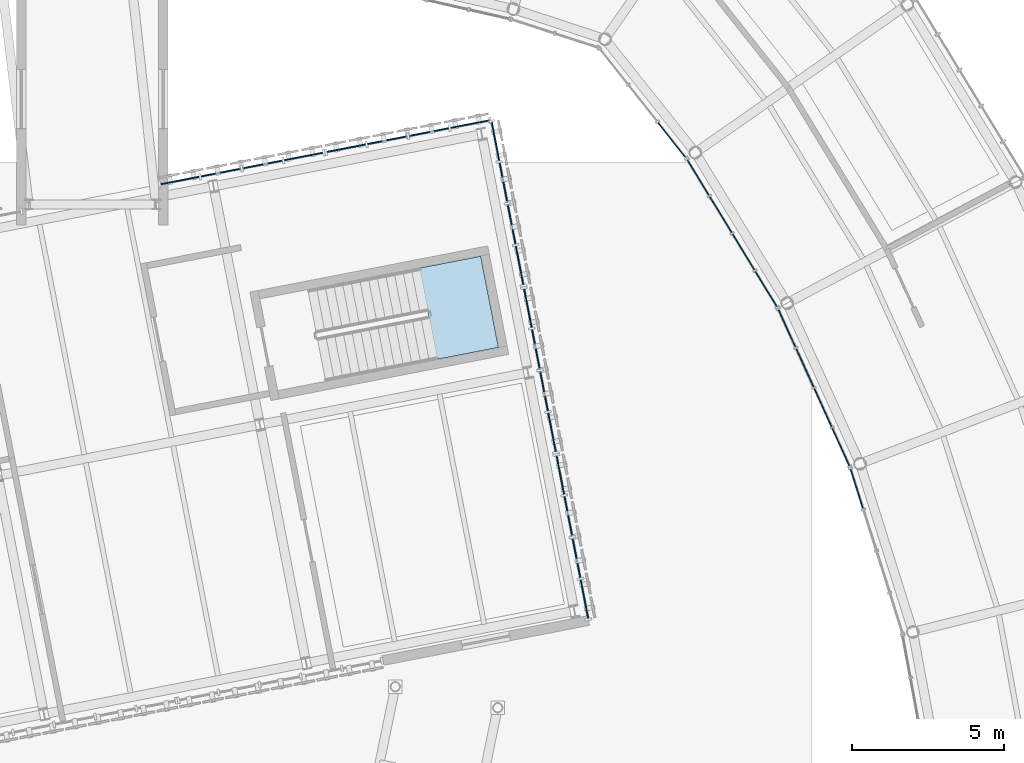
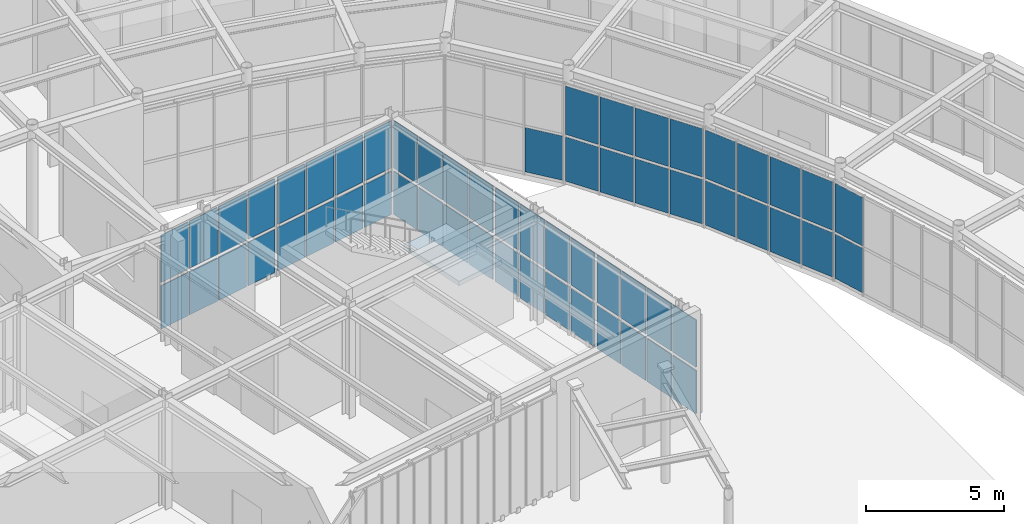
# One storey, part 64 of 97: 59 plates, 1 slab, 10 elements without a shape of their own.
"""IFC4 building model written with IfcOpenShell, lengths in metres."""

from ifc_helpers import new_model, si_unit, direction, frame, origin, origin_2d, place, context, subcontext, project, spatial, polyline, rectangle, outline, extrude, material, layer, layer_set, type_object, element, aggregate, save


model = new_model("IFC4")

# Units and contexts
model_context = context("Model", 3, precision=1e-05, world=origin(), true_north=direction((0.0, 1.0)))
body_context = subcontext(model_context, "Body", "Model", "MODEL_VIEW")
ifc_project = project(units=[si_unit("LENGTHUNIT", "METRE"), si_unit("AREAUNIT", "SQUARE_METRE"), si_unit("VOLUMEUNIT", "CUBIC_METRE"), si_unit("PLANEANGLEUNIT", "RADIAN"), si_unit("MASSUNIT", "GRAM", prefix="KILO")], contexts=[model_context])

# Site, building, storey
site_placement = place(None, origin())
site = spatial("IfcSite", under=ifc_project, at=site_placement, CompositionType="ELEMENT")
building_placement = place(site_placement, origin())
building = spatial("IfcBuilding", under=site, at=building_placement, Name="Varnklinge Art Gallery", CompositionType="ELEMENT")
storey_placement = place(building_placement, origin())
storey = spatial("IfcBuildingStorey", under=building, at=storey_placement, Name="L00", CompositionType="ELEMENT", Elevation=0.0)

# Curtain wall, plates
ifc_material_1 = material(Name="Anodised Aluminium", Category="aluminium")
curtain_wall_type_1 = type_object("IfcCurtainWallType", Name="CW-R03", PredefinedType="USERDEFINED", material=ifc_material_1)
curtain_wall_1_placement = place(storey_placement, origin())
curtain_wall_1 = element("IfcCurtainWall", 1, at=curtain_wall_1_placement, inside=storey, type_object=curtain_wall_type_1, Name="L00 Curtain Wall CW-V2I-L00-09", ObjectType="UNITISED CURTAIN WALL", PredefinedType="USERDEFINED")
ifc_material_2 = material(Name="Insulated Low-E Triple Glazing", Category="glass")
ifc_layer_1 = layer(ifc_material_2, 0.031982421875)
ifc_layer_set_1 = layer_set([ifc_layer_1], Name="Insulated Low-E Triple Glazing")
plate_type_1 = type_object("IfcPlateType", Name="GLZ-32", PredefinedType="CURTAIN_PANEL", material=ifc_layer_set_1)
plate_1_placement = place(storey_placement, frame((99.485107421875, 71.2275390625, 0.1181640625), z_axis=(0.0, 0.0, 1.0), x_axis=(0.299706904751, -0.954031326134, 0.0)))
plate_1 = element("IfcPlate", 2, at=plate_1_placement, type_object=plate_type_1, Name="CW-V2I-L00-09 Glazing Panel 1.1", PredefinedType="CURTAIN_PANEL", context=body_context, shape_type="SweptSolid", body=[
    extrude(rectangle(XDim=1.355712890625, YDim=0.031982421875, at=origin_2d()), origin(), (0.0, 0.0, 1.0), 1.950439453125),
])
plate_2_placement = place(storey_placement, frame((99.485107421875, 71.2275390625, 2.1845703125), z_axis=(0.0, 0.0, 1.0), x_axis=(0.299706904751, -0.954031326134, 0.0)))
plate_2 = element("IfcPlate", 3, at=plate_2_placement, type_object=plate_type_1, Name="CW-V2I-L00-09 Glazing Panel 1.2", PredefinedType="CURTAIN_PANEL", context=body_context, shape_type="SweptSolid", body=[
    extrude(rectangle(XDim=1.355712890625, YDim=0.031982421875, at=origin_2d()), origin(), (0.0, 0.0, 1.0), 2.127685546875),
])
aggregate(curtain_wall_1, [plate_1, plate_2])

curtain_wall_2_placement = place(storey_placement, origin())
curtain_wall_2 = element("IfcCurtainWall", 4, at=curtain_wall_2_placement, inside=storey, type_object=curtain_wall_type_1, Name="L00 Curtain Wall CW-V2I-L00-10", ObjectType="UNITISED CURTAIN WALL", PredefinedType="USERDEFINED")
plate_3_placement = place(storey_placement, frame((97.1845703125, 76.5107421875, 0.1181640625), z_axis=(0.0, 0.0, 1.0), x_axis=(0.413422293217, -0.910539404678, 0.0)))
plate_3 = element("IfcPlate", 5, at=plate_3_placement, type_object=plate_type_1, Name="CW-V2I-L00-10 Glazing Panel 1.1", PredefinedType="CURTAIN_PANEL", context=body_context, shape_type="SweptSolid", body=[
    extrude(rectangle(XDim=1.355712890625, YDim=0.031982421875, at=origin_2d()), origin(), (0.0, 0.0, 1.0), 1.950439453125),
])
plate_4_placement = place(storey_placement, frame((97.1845703125, 76.5107421875, 2.1845703125), z_axis=(0.0, 0.0, 1.0), x_axis=(0.413422293217, -0.910539404678, 0.0)))
plate_4 = element("IfcPlate", 6, at=plate_4_placement, type_object=plate_type_1, Name="CW-V2I-L00-10 Glazing Panel 1.2", PredefinedType="CURTAIN_PANEL", context=body_context, shape_type="SweptSolid", body=[
    extrude(rectangle(XDim=1.355712890625, YDim=0.031982421875, at=origin_2d()), origin(), (0.0, 0.0, 1.0), 2.127685546875),
])
plate_5_placement = place(storey_placement, frame((97.7744140625, 75.211669921875, 0.1181640625), z_axis=(0.0, 0.0, 1.0), x_axis=(0.413422293217, -0.910539404678, 0.0)))
plate_5 = element("IfcPlate", 7, at=plate_5_placement, type_object=plate_type_1, Name="CW-V2I-L00-10 Glazing Panel 2.1", PredefinedType="CURTAIN_PANEL", context=body_context, shape_type="SweptSolid", body=[
    extrude(rectangle(XDim=1.3857421875, YDim=0.031982421875, at=origin_2d()), origin(), (0.0, 0.0, 1.0), 1.950439453125),
])
plate_6_placement = place(storey_placement, frame((97.7744140625, 75.211669921875, 2.1845703125), z_axis=(0.0, 0.0, 1.0), x_axis=(0.413422293217, -0.910539404678, 0.0)))
plate_6 = element("IfcPlate", 8, at=plate_6_placement, type_object=plate_type_1, Name="CW-V2I-L00-10 Glazing Panel 2.2", PredefinedType="CURTAIN_PANEL", context=body_context, shape_type="SweptSolid", body=[
    extrude(rectangle(XDim=1.3857421875, YDim=0.031982421875, at=origin_2d()), origin(), (0.0, 0.0, 1.0), 2.127685546875),
])
plate_7_placement = place(storey_placement, frame((98.370361328125, 73.898681640625, 0.1181640625), z_axis=(0.0, 0.0, 1.0), x_axis=(0.413422293217, -0.910539404678, 0.0)))
plate_7 = element("IfcPlate", 9, at=plate_7_placement, type_object=plate_type_1, Name="CW-V2I-L00-10 Glazing Panel 3.1", PredefinedType="CURTAIN_PANEL", context=body_context, shape_type="SweptSolid", body=[
    extrude(rectangle(XDim=1.3857421875, YDim=0.031982421875, at=origin_2d()), origin(), (0.0, 0.0, 1.0), 1.950439453125),
])
plate_8_placement = place(storey_placement, frame((98.370361328125, 73.898681640625, 2.1845703125), z_axis=(0.0, 0.0, 1.0), x_axis=(0.413422293217, -0.910539404678, 0.0)))
plate_8 = element("IfcPlate", 10, at=plate_8_placement, type_object=plate_type_1, Name="CW-V2I-L00-10 Glazing Panel 3.2", PredefinedType="CURTAIN_PANEL", context=body_context, shape_type="SweptSolid", body=[
    extrude(rectangle(XDim=1.3857421875, YDim=0.031982421875, at=origin_2d()), origin(), (0.0, 0.0, 1.0), 2.127685546875),
])
plate_9_placement = place(storey_placement, frame((98.960205078125, 72.599609375, 0.1181640625), z_axis=(0.0, 0.0, 1.0), x_axis=(0.413422293217, -0.910539404678, 0.0)))
plate_9 = element("IfcPlate", 11, at=plate_9_placement, type_object=plate_type_1, Name="CW-V2I-L00-10 Glazing Panel 4.1", PredefinedType="CURTAIN_PANEL", context=body_context, shape_type="SweptSolid", body=[
    extrude(rectangle(XDim=1.355712890625, YDim=0.031982421875, at=origin_2d()), origin(), (0.0, 0.0, 1.0), 1.950439453125),
])
plate_10_placement = place(storey_placement, frame((98.960205078125, 72.599609375, 2.1845703125), z_axis=(0.0, 0.0, 1.0), x_axis=(0.413422293217, -0.910539404678, 0.0)))
plate_10 = element("IfcPlate", 12, at=plate_10_placement, type_object=plate_type_1, Name="CW-V2I-L00-10 Glazing Panel 4.2", PredefinedType="CURTAIN_PANEL", context=body_context, shape_type="SweptSolid", body=[
    extrude(rectangle(XDim=1.355712890625, YDim=0.031982421875, at=origin_2d()), origin(), (0.0, 0.0, 1.0), 2.127685546875),
])
aggregate(curtain_wall_2, [plate_3, plate_4, plate_5, plate_6, plate_7, plate_8, plate_9, plate_10])

curtain_wall_3_placement = place(storey_placement, origin())
curtain_wall_3 = element("IfcCurtainWall", 13, at=curtain_wall_3_placement, inside=storey, type_object=curtain_wall_type_1, Name="L00 Curtain Wall CW-V2I-L00-11", ObjectType="UNITISED CURTAIN WALL", PredefinedType="USERDEFINED")
plate_11_placement = place(storey_placement, frame((94.259521484375, 81.475341796875, 0.1181640625), z_axis=(0.0, 0.0, 1.0), x_axis=(0.520860651188, -0.85364171761, 0.0)))
plate_11 = element("IfcPlate", 14, at=plate_11_placement, type_object=plate_type_1, Name="CW-V2I-L00-11 Glazing Panel 1.1", PredefinedType="CURTAIN_PANEL", context=body_context, shape_type="SweptSolid", body=[
    extrude(rectangle(XDim=1.355712890625, YDim=0.031982421875, at=origin_2d()), origin(), (0.0, 0.0, 1.0), 1.950439453125),
])
plate_12_placement = place(storey_placement, frame((94.259521484375, 81.475341796875, 2.1845703125), z_axis=(0.0, 0.0, 1.0), x_axis=(0.520860651188, -0.85364171761, 0.0)))
plate_12 = element("IfcPlate", 15, at=plate_12_placement, type_object=plate_type_1, Name="CW-V2I-L00-11 Glazing Panel 1.2", PredefinedType="CURTAIN_PANEL", context=body_context, shape_type="SweptSolid", body=[
    extrude(rectangle(XDim=1.355712890625, YDim=0.031982421875, at=origin_2d()), origin(), (0.0, 0.0, 1.0), 2.127685546875),
])
plate_13_placement = place(storey_placement, frame((95.002685546875, 80.257568359375, 0.1181640625), z_axis=(0.0, 0.0, 1.0), x_axis=(0.520860651188, -0.85364171761, 0.0)))
plate_13 = element("IfcPlate", 16, at=plate_13_placement, type_object=plate_type_1, Name="CW-V2I-L00-11 Glazing Panel 2.1", PredefinedType="CURTAIN_PANEL", context=body_context, shape_type="SweptSolid", body=[
    extrude(rectangle(XDim=1.3857421875, YDim=0.031982421875, at=origin_2d()), origin(), (0.0, 0.0, 1.0), 1.950439453125),
])
plate_14_placement = place(storey_placement, frame((95.002685546875, 80.257568359375, 2.1845703125), z_axis=(0.0, 0.0, 1.0), x_axis=(0.520860651188, -0.85364171761, 0.0)))
plate_14 = element("IfcPlate", 17, at=plate_14_placement, type_object=plate_type_1, Name="CW-V2I-L00-11 Glazing Panel 2.2", PredefinedType="CURTAIN_PANEL", context=body_context, shape_type="SweptSolid", body=[
    extrude(rectangle(XDim=1.3857421875, YDim=0.031982421875, at=origin_2d()), origin(), (0.0, 0.0, 1.0), 2.127685546875),
])
plate_15_placement = place(storey_placement, frame((95.753662109375, 79.02685546875, 0.1181640625), z_axis=(0.0, 0.0, 1.0), x_axis=(0.520860651188, -0.85364171761, 0.0)))
plate_15 = element("IfcPlate", 18, at=plate_15_placement, type_object=plate_type_1, Name="CW-V2I-L00-11 Glazing Panel 3.1", PredefinedType="CURTAIN_PANEL", context=body_context, shape_type="SweptSolid", body=[
    extrude(rectangle(XDim=1.3857421875, YDim=0.031982421875, at=origin_2d()), origin(), (0.0, 0.0, 1.0), 1.950439453125),
])
plate_16_placement = place(storey_placement, frame((95.753662109375, 79.02685546875, 2.1845703125), z_axis=(0.0, 0.0, 1.0), x_axis=(0.520860651188, -0.85364171761, 0.0)))
plate_16 = element("IfcPlate", 19, at=plate_16_placement, type_object=plate_type_1, Name="CW-V2I-L00-11 Glazing Panel 3.2", PredefinedType="CURTAIN_PANEL", context=body_context, shape_type="SweptSolid", body=[
    extrude(rectangle(XDim=1.3857421875, YDim=0.031982421875, at=origin_2d()), origin(), (0.0, 0.0, 1.0), 2.127685546875),
])
plate_17_placement = place(storey_placement, frame((96.496826171875, 77.80908203125, 0.1181640625), z_axis=(0.0, 0.0, 1.0), x_axis=(0.520860651188, -0.85364171761, 0.0)))
plate_17 = element("IfcPlate", 20, at=plate_17_placement, type_object=plate_type_1, Name="CW-V2I-L00-11 Glazing Panel 4.1", PredefinedType="CURTAIN_PANEL", context=body_context, shape_type="SweptSolid", body=[
    extrude(rectangle(XDim=1.355712890625, YDim=0.031982421875, at=origin_2d()), origin(), (0.0, 0.0, 1.0), 1.950439453125),
])
plate_18_placement = place(storey_placement, frame((96.496826171875, 77.80908203125, 2.1845703125), z_axis=(0.0, 0.0, 1.0), x_axis=(0.520860651188, -0.85364171761, 0.0)))
plate_18 = element("IfcPlate", 21, at=plate_18_placement, type_object=plate_type_1, Name="CW-V2I-L00-11 Glazing Panel 4.2", PredefinedType="CURTAIN_PANEL", context=body_context, shape_type="SweptSolid", body=[
    extrude(rectangle(XDim=1.355712890625, YDim=0.031982421875, at=origin_2d()), origin(), (0.0, 0.0, 1.0), 2.127685546875),
])
aggregate(curtain_wall_3, [plate_11, plate_12, plate_13, plate_14, plate_15, plate_16, plate_17, plate_18])

# Curtain wall, plate
curtain_wall_4_placement = place(storey_placement, origin())
curtain_wall_4 = element("IfcCurtainWall", 22, at=curtain_wall_4_placement, inside=storey, type_object=curtain_wall_type_1, Name="L00 Curtain Wall CW-V2I-L00-12", ObjectType="UNITISED CURTAIN WALL", PredefinedType="USERDEFINED")
plate_19_placement = place(storey_placement, frame((93.385009765625, 82.7236328125, 0.1181640625), z_axis=(0.0, 0.0, 1.0), x_axis=(0.620737354217, -0.784018582101, 0.0)))
plate_19 = element("IfcPlate", 23, at=plate_19_placement, type_object=plate_type_1, Name="CW-V2I-L00-12 Glazing Panel 3.1", PredefinedType="CURTAIN_PANEL", context=body_context, shape_type="SweptSolid", body=[
    extrude(rectangle(XDim=1.4658203125, YDim=0.031982421875, at=origin_2d()), origin(), (0.0, 0.0, 1.0), 1.950439453125),
])
aggregate(curtain_wall_4, [plate_19])

# Curtain wall, plates
ifc_material_3 = material(Name="Anodised Aluminium", Category="aluminium")
curtain_wall_type_2 = type_object("IfcCurtainWallType", Name="CW-L05", PredefinedType="USERDEFINED", material=ifc_material_3)
curtain_wall_5_placement = place(storey_placement, origin())
curtain_wall_5 = element("IfcCurtainWall", 24, at=curtain_wall_5_placement, inside=storey, type_object=curtain_wall_type_2, Name="L00 Curtain Wall CW-V4B-L00-2-1-1", ObjectType="UNITISED CURTAIN WALL", PredefinedType="USERDEFINED")
ifc_material_4 = material(Name="Insulated Low-E Triple Glazing", Category="glass")
ifc_layer_2 = layer(ifc_material_4, 0.0439453125)
ifc_layer_set_2 = layer_set([ifc_layer_2], Name="Insulated Low-E Triple Glazing")
plate_type_2 = type_object("IfcPlateType", Name="GLZ-44", PredefinedType="CURTAIN_PANEL", material=ifc_layer_set_2)
plate_20_placement = place(storey_placement, frame((90.51220703125, 67.593017578125, 0.14794921875), z_axis=(0.0, 0.0, 1.0), x_axis=(-0.190808995377, 0.981627183448, 0.0)))
plate_20 = element("IfcPlate", 25, at=plate_20_placement, type_object=plate_type_2, Name="CW-V4B-L00-2-1-1 Glazing Panel 1.1", PredefinedType="CURTAIN_PANEL", context=body_context, shape_type="SweptSolid", body=[
    extrude(rectangle(XDim=1.29150390625, YDim=0.0439453125, at=origin_2d()), origin(), (0.0, 0.0, 1.0), 1.905517578125),
])
plate_21_placement = place(storey_placement, frame((90.51220703125, 67.593017578125, 2.199462890625), z_axis=(0.0, 0.0, 1.0), x_axis=(-0.190808995377, 0.981627183448, 0.0)))
plate_21 = element("IfcPlate", 26, at=plate_21_placement, type_object=plate_type_2, Name="CW-V4B-L00-2-1-1 Glazing Panel 1.2", PredefinedType="CURTAIN_PANEL", context=body_context, shape_type="SweptSolid", body=[
    extrude(rectangle(XDim=1.29150390625, YDim=0.0439453125, at=origin_2d()), origin(), (0.0, 0.0, 1.0), 2.08251953125),
])
plate_22_placement = place(storey_placement, frame((90.24853515625, 68.948974609375, 0.14794921875), z_axis=(0.0, 0.0, 1.0), x_axis=(-0.190808995377, 0.981627183448, 0.0)))
plate_22 = element("IfcPlate", 27, at=plate_22_placement, type_object=plate_type_2, Name="CW-V4B-L00-2-1-1 Glazing Panel 2.1", PredefinedType="CURTAIN_PANEL", context=body_context, shape_type="SweptSolid", body=[
    extrude(rectangle(XDim=1.3291015625, YDim=0.0439453125, at=origin_2d()), origin(), (0.0, 0.0, 1.0), 1.905517578125),
])
plate_23_placement = place(storey_placement, frame((90.24853515625, 68.948974609375, 2.199462890625), z_axis=(0.0, 0.0, 1.0), x_axis=(-0.190808995377, 0.981627183448, 0.0)))
plate_23 = element("IfcPlate", 28, at=plate_23_placement, type_object=plate_type_2, Name="CW-V4B-L00-2-1-1 Glazing Panel 2.2", PredefinedType="CURTAIN_PANEL", context=body_context, shape_type="SweptSolid", body=[
    extrude(rectangle(XDim=1.3291015625, YDim=0.0439453125, at=origin_2d()), origin(), (0.0, 0.0, 1.0), 2.08251953125),
])
plate_24_placement = place(storey_placement, frame((89.9814453125, 70.3232421875, 0.14794921875), z_axis=(0.0, 0.0, 1.0), x_axis=(-0.190808995377, 0.981627183448, 0.0)))
plate_24 = element("IfcPlate", 29, at=plate_24_placement, type_object=plate_type_2, Name="CW-V4B-L00-2-1-1 Glazing Panel 3.1", PredefinedType="CURTAIN_PANEL", context=body_context, shape_type="SweptSolid", body=[
    extrude(rectangle(XDim=1.3291015625, YDim=0.0439453125, at=origin_2d()), origin(), (0.0, 0.0, 1.0), 1.905517578125),
])
plate_25_placement = place(storey_placement, frame((89.9814453125, 70.3232421875, 2.199462890625), z_axis=(0.0, 0.0, 1.0), x_axis=(-0.190808995377, 0.981627183448, 0.0)))
plate_25 = element("IfcPlate", 30, at=plate_25_placement, type_object=plate_type_2, Name="CW-V4B-L00-2-1-1 Glazing Panel 3.2", PredefinedType="CURTAIN_PANEL", context=body_context, shape_type="SweptSolid", body=[
    extrude(rectangle(XDim=1.3291015625, YDim=0.0439453125, at=origin_2d()), origin(), (0.0, 0.0, 1.0), 2.08251953125),
])
plate_26_placement = place(storey_placement, frame((89.718017578125, 71.67919921875, 0.14794921875), z_axis=(0.0, 0.0, 1.0), x_axis=(-0.190808995377, 0.981627183448, 0.0)))
plate_26 = element("IfcPlate", 31, at=plate_26_placement, type_object=plate_type_2, Name="CW-V4B-L00-2-1-1 Glazing Panel 4.1", PredefinedType="CURTAIN_PANEL", context=body_context, shape_type="SweptSolid", body=[
    extrude(rectangle(XDim=1.29150390625, YDim=0.0439453125, at=origin_2d()), origin(), (0.0, 0.0, 1.0), 1.905517578125),
])
plate_27_placement = place(storey_placement, frame((89.718017578125, 71.67919921875, 2.199462890625), z_axis=(0.0, 0.0, 1.0), x_axis=(-0.190808995377, 0.981627183448, 0.0)))
plate_27 = element("IfcPlate", 32, at=plate_27_placement, type_object=plate_type_2, Name="CW-V4B-L00-2-1-1 Glazing Panel 4.2", PredefinedType="CURTAIN_PANEL", context=body_context, shape_type="SweptSolid", body=[
    extrude(rectangle(XDim=1.29150390625, YDim=0.0439453125, at=origin_2d()), origin(), (0.0, 0.0, 1.0), 2.08251953125),
])
aggregate(curtain_wall_5, [plate_20, plate_21, plate_22, plate_23, plate_24, plate_25, plate_26, plate_27])

curtain_wall_6_placement = place(storey_placement, origin())
curtain_wall_6 = element("IfcCurtainWall", 33, at=curtain_wall_6_placement, inside=storey, type_object=curtain_wall_type_2, Name="L00 Curtain Wall CW-V4B-L00-2-1-2", ObjectType="UNITISED CURTAIN WALL", PredefinedType="USERDEFINED")
plate_28_placement = place(storey_placement, frame((89.443603515625, 73.090087890625, 0.14794921875), z_axis=(0.0, 0.0, 1.0), x_axis=(-0.190808995377, 0.981627183448, 0.0)))
plate_28 = element("IfcPlate", 34, at=plate_28_placement, type_object=plate_type_2, Name="CW-V4B-L00-2-1-2 Glazing Panel 1.1", PredefinedType="CURTAIN_PANEL", context=body_context, shape_type="SweptSolid", body=[
    extrude(rectangle(XDim=1.29150390625, YDim=0.0439453125, at=origin_2d()), origin(), (0.0, 0.0, 1.0), 1.905517578125),
])
plate_29_placement = place(storey_placement, frame((89.443603515625, 73.090087890625, 2.199462890625), z_axis=(0.0, 0.0, 1.0), x_axis=(-0.190808995377, 0.981627183448, 0.0)))
plate_29 = element("IfcPlate", 35, at=plate_29_placement, type_object=plate_type_2, Name="CW-V4B-L00-2-1-2 Glazing Panel 1.2", PredefinedType="CURTAIN_PANEL", context=body_context, shape_type="SweptSolid", body=[
    extrude(rectangle(XDim=1.29150390625, YDim=0.0439453125, at=origin_2d()), origin(), (0.0, 0.0, 1.0), 2.08251953125),
])
plate_30_placement = place(storey_placement, frame((89.18017578125, 74.446044921875, 0.14794921875), z_axis=(0.0, 0.0, 1.0), x_axis=(-0.190808995377, 0.981627183448, 0.0)))
plate_30 = element("IfcPlate", 36, at=plate_30_placement, type_object=plate_type_2, Name="CW-V4B-L00-2-1-2 Glazing Panel 2.1", PredefinedType="CURTAIN_PANEL", context=body_context, shape_type="SweptSolid", body=[
    extrude(rectangle(XDim=1.3291015625, YDim=0.0439453125, at=origin_2d()), origin(), (0.0, 0.0, 1.0), 1.905517578125),
])
plate_31_placement = place(storey_placement, frame((89.18017578125, 74.446044921875, 2.199462890625), z_axis=(0.0, 0.0, 1.0), x_axis=(-0.190808995377, 0.981627183448, 0.0)))
plate_31 = element("IfcPlate", 37, at=plate_31_placement, type_object=plate_type_2, Name="CW-V4B-L00-2-1-2 Glazing Panel 2.2", PredefinedType="CURTAIN_PANEL", context=body_context, shape_type="SweptSolid", body=[
    extrude(rectangle(XDim=1.3291015625, YDim=0.0439453125, at=origin_2d()), origin(), (0.0, 0.0, 1.0), 2.08251953125),
])
plate_32_placement = place(storey_placement, frame((88.912841796875, 75.8203125, 0.14794921875), z_axis=(0.0, 0.0, 1.0), x_axis=(-0.190808995377, 0.981627183448, 0.0)))
plate_32 = element("IfcPlate", 38, at=plate_32_placement, type_object=plate_type_2, Name="CW-V4B-L00-2-1-2 Glazing Panel 3.1", PredefinedType="CURTAIN_PANEL", context=body_context, shape_type="SweptSolid", body=[
    extrude(rectangle(XDim=1.3291015625, YDim=0.0439453125, at=origin_2d()), origin(), (0.0, 0.0, 1.0), 1.905517578125),
])
plate_33_placement = place(storey_placement, frame((88.912841796875, 75.8203125, 2.199462890625), z_axis=(0.0, 0.0, 1.0), x_axis=(-0.190808995377, 0.981627183448, 0.0)))
plate_33 = element("IfcPlate", 39, at=plate_33_placement, type_object=plate_type_2, Name="CW-V4B-L00-2-1-2 Glazing Panel 3.2", PredefinedType="CURTAIN_PANEL", context=body_context, shape_type="SweptSolid", body=[
    extrude(rectangle(XDim=1.3291015625, YDim=0.0439453125, at=origin_2d()), origin(), (0.0, 0.0, 1.0), 2.08251953125),
])
plate_34_placement = place(storey_placement, frame((88.6494140625, 77.17626953125, 0.14794921875), z_axis=(0.0, 0.0, 1.0), x_axis=(-0.190808995377, 0.981627183448, 0.0)))
plate_34 = element("IfcPlate", 40, at=plate_34_placement, type_object=plate_type_2, Name="CW-V4B-L00-2-1-2 Glazing Panel 4.1", PredefinedType="CURTAIN_PANEL", context=body_context, shape_type="SweptSolid", body=[
    extrude(rectangle(XDim=1.29150390625, YDim=0.0439453125, at=origin_2d()), origin(), (0.0, 0.0, 1.0), 1.905517578125),
])
plate_35_placement = place(storey_placement, frame((88.6494140625, 77.17626953125, 2.199462890625), z_axis=(0.0, 0.0, 1.0), x_axis=(-0.190808995377, 0.981627183448, 0.0)))
plate_35 = element("IfcPlate", 41, at=plate_35_placement, type_object=plate_type_2, Name="CW-V4B-L00-2-1-2 Glazing Panel 4.2", PredefinedType="CURTAIN_PANEL", context=body_context, shape_type="SweptSolid", body=[
    extrude(rectangle(XDim=1.29150390625, YDim=0.0439453125, at=origin_2d()), origin(), (0.0, 0.0, 1.0), 2.08251953125),
])
aggregate(curtain_wall_6, [plate_28, plate_29, plate_30, plate_31, plate_32, plate_33, plate_34, plate_35])

curtain_wall_7_placement = place(storey_placement, origin())
curtain_wall_7 = element("IfcCurtainWall", 42, at=curtain_wall_7_placement, inside=storey, type_object=curtain_wall_type_2, Name="L00 Curtain Wall CW-V4B-L00-2-1-3", ObjectType="UNITISED CURTAIN WALL", PredefinedType="USERDEFINED")
plate_36_placement = place(storey_placement, frame((88.375, 78.587158203125, 0.14794921875), z_axis=(0.0, 0.0, 1.0), x_axis=(-0.190808995377, 0.981627183448, 0.0)))
plate_36 = element("IfcPlate", 43, at=plate_36_placement, type_object=plate_type_2, Name="CW-V4B-L00-2-1-3 Glazing Panel 1.1", PredefinedType="CURTAIN_PANEL", context=body_context, shape_type="SweptSolid", body=[
    extrude(rectangle(XDim=1.29150390625, YDim=0.0439453125, at=origin_2d()), origin(), (0.0, 0.0, 1.0), 1.905517578125),
])
plate_37_placement = place(storey_placement, frame((88.375, 78.587158203125, 2.199462890625), z_axis=(0.0, 0.0, 1.0), x_axis=(-0.190808995377, 0.981627183448, 0.0)))
plate_37 = element("IfcPlate", 44, at=plate_37_placement, type_object=plate_type_2, Name="CW-V4B-L00-2-1-3 Glazing Panel 1.2", PredefinedType="CURTAIN_PANEL", context=body_context, shape_type="SweptSolid", body=[
    extrude(rectangle(XDim=1.29150390625, YDim=0.0439453125, at=origin_2d()), origin(), (0.0, 0.0, 1.0), 2.08251953125),
])
plate_38_placement = place(storey_placement, frame((88.111572265625, 79.943115234375, 0.14794921875), z_axis=(0.0, 0.0, 1.0), x_axis=(-0.190808995377, 0.981627183448, 0.0)))
plate_38 = element("IfcPlate", 45, at=plate_38_placement, type_object=plate_type_2, Name="CW-V4B-L00-2-1-3 Glazing Panel 2.1", PredefinedType="CURTAIN_PANEL", context=body_context, shape_type="SweptSolid", body=[
    extrude(rectangle(XDim=1.3291015625, YDim=0.0439453125, at=origin_2d()), origin(), (0.0, 0.0, 1.0), 1.905517578125),
])
plate_39_placement = place(storey_placement, frame((88.111572265625, 79.943115234375, 2.199462890625), z_axis=(0.0, 0.0, 1.0), x_axis=(-0.190808995377, 0.981627183448, 0.0)))
plate_39 = element("IfcPlate", 46, at=plate_39_placement, type_object=plate_type_2, Name="CW-V4B-L00-2-1-3 Glazing Panel 2.2", PredefinedType="CURTAIN_PANEL", context=body_context, shape_type="SweptSolid", body=[
    extrude(rectangle(XDim=1.3291015625, YDim=0.0439453125, at=origin_2d()), origin(), (0.0, 0.0, 1.0), 2.08251953125),
])
plate_40_placement = place(storey_placement, frame((87.844482421875, 81.3173828125, 0.14794921875), z_axis=(0.0, 0.0, 1.0), x_axis=(-0.190808995377, 0.981627183448, 0.0)))
plate_40 = element("IfcPlate", 47, at=plate_40_placement, type_object=plate_type_2, Name="CW-V4B-L00-2-1-3 Glazing Panel 3.1", PredefinedType="CURTAIN_PANEL", context=body_context, shape_type="SweptSolid", body=[
    extrude(rectangle(XDim=1.3291015625, YDim=0.0439453125, at=origin_2d()), origin(), (0.0, 0.0, 1.0), 1.905517578125),
])
plate_41_placement = place(storey_placement, frame((87.844482421875, 81.3173828125, 2.199462890625), z_axis=(0.0, 0.0, 1.0), x_axis=(-0.190808995377, 0.981627183448, 0.0)))
plate_41 = element("IfcPlate", 48, at=plate_41_placement, type_object=plate_type_2, Name="CW-V4B-L00-2-1-3 Glazing Panel 3.2", PredefinedType="CURTAIN_PANEL", context=body_context, shape_type="SweptSolid", body=[
    extrude(rectangle(XDim=1.3291015625, YDim=0.0439453125, at=origin_2d()), origin(), (0.0, 0.0, 1.0), 2.08251953125),
])
plate_42_placement = place(storey_placement, frame((87.580810546875, 82.67333984375, 0.14794921875), z_axis=(0.0, 0.0, 1.0), x_axis=(-0.190808995377, 0.981627183448, 0.0)))
plate_42 = element("IfcPlate", 49, at=plate_42_placement, type_object=plate_type_2, Name="CW-V4B-L00-2-1-3 Glazing Panel 4.1", PredefinedType="CURTAIN_PANEL", context=body_context, shape_type="SweptSolid", body=[
    extrude(rectangle(XDim=1.29150390625, YDim=0.0439453125, at=origin_2d()), origin(), (0.0, 0.0, 1.0), 1.905517578125),
])
plate_43_placement = place(storey_placement, frame((87.580810546875, 82.67333984375, 2.199462890625), z_axis=(0.0, 0.0, 1.0), x_axis=(-0.190808995377, 0.981627183448, 0.0)))
plate_43 = element("IfcPlate", 50, at=plate_43_placement, type_object=plate_type_2, Name="CW-V4B-L00-2-1-3 Glazing Panel 4.2", PredefinedType="CURTAIN_PANEL", context=body_context, shape_type="SweptSolid", body=[
    extrude(rectangle(XDim=1.29150390625, YDim=0.0439453125, at=origin_2d()), origin(), (0.0, 0.0, 1.0), 2.08251953125),
])
aggregate(curtain_wall_7, [plate_36, plate_37, plate_38, plate_39, plate_40, plate_41, plate_42, plate_43])

curtain_wall_8_placement = place(storey_placement, origin())
curtain_wall_8 = element("IfcCurtainWall", 51, at=curtain_wall_8_placement, inside=storey, type_object=curtain_wall_type_2, Name="L00 Curtain Wall CW-V4B-L00-3-1-1", ObjectType="UNITISED CURTAIN WALL", PredefinedType="USERDEFINED")
plate_44_placement = place(storey_placement, frame((86.739990234375, 83.241943359375, 0.14794921875), z_axis=(0.0, 0.0, 1.0), x_axis=(-0.981627183448, -0.190808995377, 0.0)))
plate_44 = element("IfcPlate", 52, at=plate_44_placement, type_object=plate_type_2, Name="CW-V4B-L00-3-1-1 Glazing Panel 1.1", PredefinedType="CURTAIN_PANEL", context=body_context, shape_type="SweptSolid", body=[
    extrude(rectangle(XDim=1.28759765625, YDim=0.0439453125, at=origin_2d()), origin(), (0.0, 0.0, 1.0), 1.905517578125),
])
plate_45_placement = place(storey_placement, frame((86.739990234375, 83.241943359375, 2.199462890625), z_axis=(0.0, 0.0, 1.0), x_axis=(-0.981627183448, -0.190808995377, 0.0)))
plate_45 = element("IfcPlate", 53, at=plate_45_placement, type_object=plate_type_2, Name="CW-V4B-L00-3-1-1 Glazing Panel 1.2", PredefinedType="CURTAIN_PANEL", context=body_context, shape_type="SweptSolid", body=[
    extrude(rectangle(XDim=1.28759765625, YDim=0.0439453125, at=origin_2d()), origin(), (0.0, 0.0, 1.0), 2.08251953125),
])
plate_46_placement = place(storey_placement, frame((85.387939453125, 82.979248046875, 0.14794921875), z_axis=(0.0, 0.0, 1.0), x_axis=(-0.981627183448, -0.190808995377, 0.0)))
plate_46 = element("IfcPlate", 54, at=plate_46_placement, type_object=plate_type_2, Name="CW-V4B-L00-3-1-1 Glazing Panel 2.1", PredefinedType="CURTAIN_PANEL", context=body_context, shape_type="SweptSolid", body=[
    extrude(rectangle(XDim=1.3251953125, YDim=0.0439453125, at=origin_2d()), origin(), (0.0, 0.0, 1.0), 1.905517578125),
])
plate_47_placement = place(storey_placement, frame((85.387939453125, 82.979248046875, 2.199462890625), z_axis=(0.0, 0.0, 1.0), x_axis=(-0.981627183448, -0.190808995377, 0.0)))
plate_47 = element("IfcPlate", 55, at=plate_47_placement, type_object=plate_type_2, Name="CW-V4B-L00-3-1-1 Glazing Panel 2.2", PredefinedType="CURTAIN_PANEL", context=body_context, shape_type="SweptSolid", body=[
    extrude(rectangle(XDim=1.3251953125, YDim=0.0439453125, at=origin_2d()), origin(), (0.0, 0.0, 1.0), 2.08251953125),
])
plate_48_placement = place(storey_placement, frame((84.017578125, 82.712890625, 0.14794921875), z_axis=(0.0, 0.0, 1.0), x_axis=(-0.981627183448, -0.190808995377, 0.0)))
plate_48 = element("IfcPlate", 56, at=plate_48_placement, type_object=plate_type_2, Name="CW-V4B-L00-3-1-1 Glazing Panel 3.1", PredefinedType="CURTAIN_PANEL", context=body_context, shape_type="SweptSolid", body=[
    extrude(rectangle(XDim=1.3251953125, YDim=0.0439453125, at=origin_2d()), origin(), (0.0, 0.0, 1.0), 1.905517578125),
])
plate_49_placement = place(storey_placement, frame((84.017578125, 82.712890625, 2.199462890625), z_axis=(0.0, 0.0, 1.0), x_axis=(-0.981627183448, -0.190808995377, 0.0)))
plate_49 = element("IfcPlate", 57, at=plate_49_placement, type_object=plate_type_2, Name="CW-V4B-L00-3-1-1 Glazing Panel 3.2", PredefinedType="CURTAIN_PANEL", context=body_context, shape_type="SweptSolid", body=[
    extrude(rectangle(XDim=1.3251953125, YDim=0.0439453125, at=origin_2d()), origin(), (0.0, 0.0, 1.0), 2.08251953125),
])
plate_50_placement = place(storey_placement, frame((82.665283203125, 82.449951171875, 0.14794921875), z_axis=(0.0, 0.0, 1.0), x_axis=(-0.981627183448, -0.190808995377, 0.0)))
plate_50 = element("IfcPlate", 58, at=plate_50_placement, type_object=plate_type_2, Name="CW-V4B-L00-3-1-1 Glazing Panel 4.1", PredefinedType="CURTAIN_PANEL", context=body_context, shape_type="SweptSolid", body=[
    extrude(rectangle(XDim=1.28759765625, YDim=0.0439453125, at=origin_2d()), origin(), (0.0, 0.0, 1.0), 1.905517578125),
])
plate_51_placement = place(storey_placement, frame((82.665283203125, 82.449951171875, 2.199462890625), z_axis=(0.0, 0.0, 1.0), x_axis=(-0.981627183448, -0.190808995377, 0.0)))
plate_51 = element("IfcPlate", 59, at=plate_51_placement, type_object=plate_type_2, Name="CW-V4B-L00-3-1-1 Glazing Panel 4.2", PredefinedType="CURTAIN_PANEL", context=body_context, shape_type="SweptSolid", body=[
    extrude(rectangle(XDim=1.28759765625, YDim=0.0439453125, at=origin_2d()), origin(), (0.0, 0.0, 1.0), 2.08251953125),
])
aggregate(curtain_wall_8, [plate_44, plate_45, plate_46, plate_47, plate_48, plate_49, plate_50, plate_51])

curtain_wall_9_placement = place(storey_placement, origin())
curtain_wall_9 = element("IfcCurtainWall", 60, at=curtain_wall_9_placement, inside=storey, type_object=curtain_wall_type_2, Name="L00 Curtain Wall CW-V4B-L00-3-1-2", ObjectType="UNITISED CURTAIN WALL", PredefinedType="USERDEFINED")
plate_52_placement = place(storey_placement, frame((81.25830078125, 82.176513671875, 0.14794921875), z_axis=(0.0, 0.0, 1.0), x_axis=(-0.981627183448, -0.190808995377, 0.0)))
plate_52 = element("IfcPlate", 61, at=plate_52_placement, type_object=plate_type_2, Name="CW-V4B-L00-3-1-2 Glazing Panel 1.1", PredefinedType="CURTAIN_PANEL", context=body_context, shape_type="SweptSolid", body=[
    extrude(rectangle(XDim=1.28759765625, YDim=0.0439453125, at=origin_2d()), origin(), (0.0, 0.0, 1.0), 1.905517578125),
])
plate_53_placement = place(storey_placement, frame((81.25830078125, 82.176513671875, 2.199462890625), z_axis=(0.0, 0.0, 1.0), x_axis=(-0.981627183448, -0.190808995377, 0.0)))
plate_53 = element("IfcPlate", 62, at=plate_53_placement, type_object=plate_type_2, Name="CW-V4B-L00-3-1-2 Glazing Panel 1.2", PredefinedType="CURTAIN_PANEL", context=body_context, shape_type="SweptSolid", body=[
    extrude(rectangle(XDim=1.28759765625, YDim=0.0439453125, at=origin_2d()), origin(), (0.0, 0.0, 1.0), 2.08251953125),
])
plate_54_placement = place(storey_placement, frame((79.906005859375, 81.91357421875, 0.14794921875), z_axis=(0.0, 0.0, 1.0), x_axis=(-0.981627183448, -0.190808995377, 0.0)))
plate_54 = element("IfcPlate", 63, at=plate_54_placement, type_object=plate_type_2, Name="CW-V4B-L00-3-1-2 Glazing Panel 2.1", PredefinedType="CURTAIN_PANEL", context=body_context, shape_type="SweptSolid", body=[
    extrude(rectangle(XDim=1.3251953125, YDim=0.0439453125, at=origin_2d()), origin(), (0.0, 0.0, 1.0), 1.905517578125),
])
plate_55_placement = place(storey_placement, frame((79.906005859375, 81.91357421875, 2.199462890625), z_axis=(0.0, 0.0, 1.0), x_axis=(-0.981627183448, -0.190808995377, 0.0)))
plate_55 = element("IfcPlate", 64, at=plate_55_placement, type_object=plate_type_2, Name="CW-V4B-L00-3-1-2 Glazing Panel 2.2", PredefinedType="CURTAIN_PANEL", context=body_context, shape_type="SweptSolid", body=[
    extrude(rectangle(XDim=1.3251953125, YDim=0.0439453125, at=origin_2d()), origin(), (0.0, 0.0, 1.0), 2.08251953125),
])
plate_56_placement = place(storey_placement, frame((78.53564453125, 81.647216796875, 0.14794921875), z_axis=(0.0, 0.0, 1.0), x_axis=(-0.981627183448, -0.190808995377, 0.0)))
plate_56 = element("IfcPlate", 65, at=plate_56_placement, type_object=plate_type_2, Name="CW-V4B-L00-3-1-2 Glazing Panel 3.1", PredefinedType="CURTAIN_PANEL", context=body_context, shape_type="SweptSolid", body=[
    extrude(rectangle(XDim=1.3251953125, YDim=0.0439453125, at=origin_2d()), origin(), (0.0, 0.0, 1.0), 1.905517578125),
])
plate_57_placement = place(storey_placement, frame((78.53564453125, 81.647216796875, 2.199462890625), z_axis=(0.0, 0.0, 1.0), x_axis=(-0.981627183448, -0.190808995377, 0.0)))
plate_57 = element("IfcPlate", 66, at=plate_57_placement, type_object=plate_type_2, Name="CW-V4B-L00-3-1-2 Glazing Panel 3.2", PredefinedType="CURTAIN_PANEL", context=body_context, shape_type="SweptSolid", body=[
    extrude(rectangle(XDim=1.3251953125, YDim=0.0439453125, at=origin_2d()), origin(), (0.0, 0.0, 1.0), 2.08251953125),
])
plate_58_placement = place(storey_placement, frame((77.18359375, 81.384521484375, 0.14794921875), z_axis=(0.0, 0.0, 1.0), x_axis=(-0.981627183448, -0.190808995377, 0.0)))
plate_58 = element("IfcPlate", 67, at=plate_58_placement, type_object=plate_type_2, Name="CW-V4B-L00-3-1-2 Glazing Panel 4.1", PredefinedType="CURTAIN_PANEL", context=body_context, shape_type="SweptSolid", body=[
    extrude(rectangle(XDim=1.28759765625, YDim=0.0439453125, at=origin_2d()), origin(), (0.0, 0.0, 1.0), 1.905517578125),
])
plate_59_placement = place(storey_placement, frame((77.18359375, 81.384521484375, 2.199462890625), z_axis=(0.0, 0.0, 1.0), x_axis=(-0.981627183448, -0.190808995377, 0.0)))
plate_59 = element("IfcPlate", 68, at=plate_59_placement, type_object=plate_type_2, Name="CW-V4B-L00-3-1-2 Glazing Panel 4.2", PredefinedType="CURTAIN_PANEL", context=body_context, shape_type="SweptSolid", body=[
    extrude(rectangle(XDim=1.28759765625, YDim=0.0439453125, at=origin_2d()), origin(), (0.0, 0.0, 1.0), 2.08251953125),
])
aggregate(curtain_wall_9, [plate_52, plate_53, plate_54, plate_55, plate_56, plate_57, plate_58, plate_59])

# Stair, slab
ifc_material_5 = material(Name="Concrete C40/50", Category="concrete")
stair_type = type_object("IfcStairType", Name="STR-C5100", PredefinedType="HALF_TURN_STAIR", material=ifc_material_5)
stair_placement = place(storey_placement, origin())
stair = element("IfcStair", 69, at=stair_placement, inside=storey, type_object=stair_type, Name="L00 Core C8 Stair ST-10", PredefinedType="HALF_TURN_STAIR")
ifc_material_6 = material(Name="Concrete C40/50", Category="concrete")
ifc_layer_3 = layer(ifc_material_6, 0.199951171875)
ifc_layer_set_3 = layer_set([ifc_layer_3], Name="Concrete C40/50")
slab_type = type_object("IfcSlabType", Name="SLB-LND20", PredefinedType="LANDING", material=ifc_layer_set_3)
slab_placement = place(storey_placement, frame((0.0, 0.0, 2.35009765625)))
slab = element("IfcSlab", 70, at=slab_placement, type_object=slab_type, Name="ST-10 landing 1", PredefinedType="LANDING", context=body_context, shape_type="SweptSolid", body=[
    extrude(outline(polyline([(85.655517578125, 75.49267578125), (87.677734375, 75.8857421875), (87.09375, 78.8896484375), (85.071533203125, 78.49658203125), (85.655517578125, 75.49267578125)])), origin(), (0.0, 0.0, 1.0), 0.199951171875),
])
aggregate(stair, [slab])

save(model, "model.ifc")
